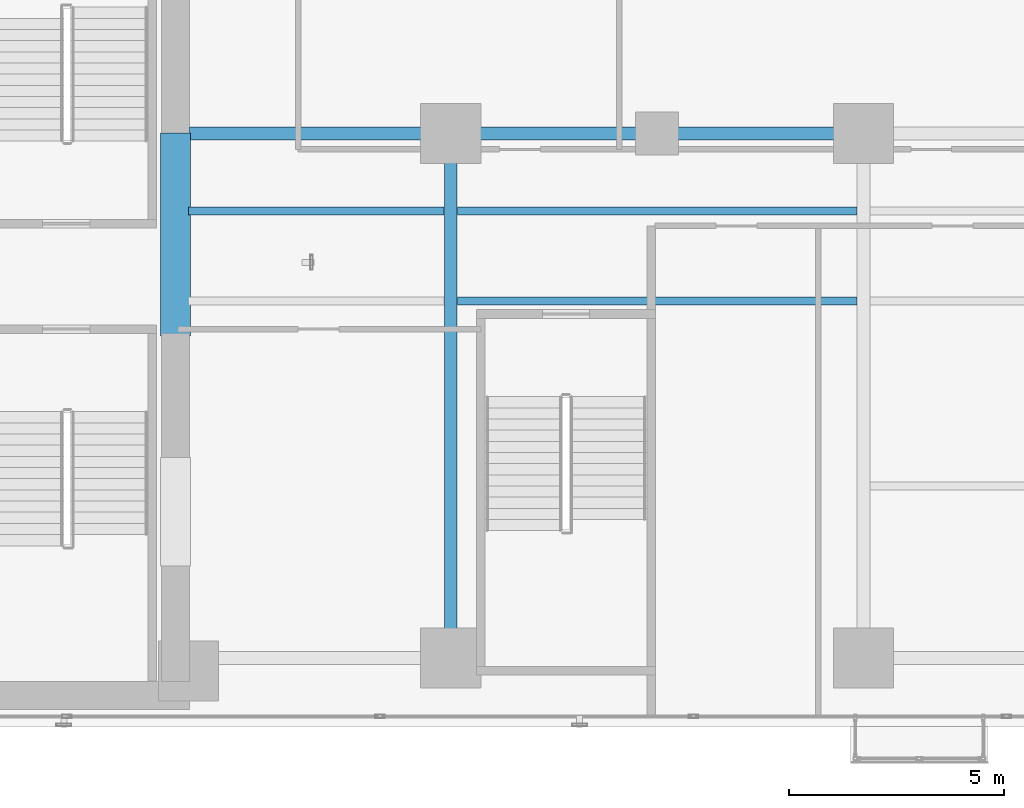
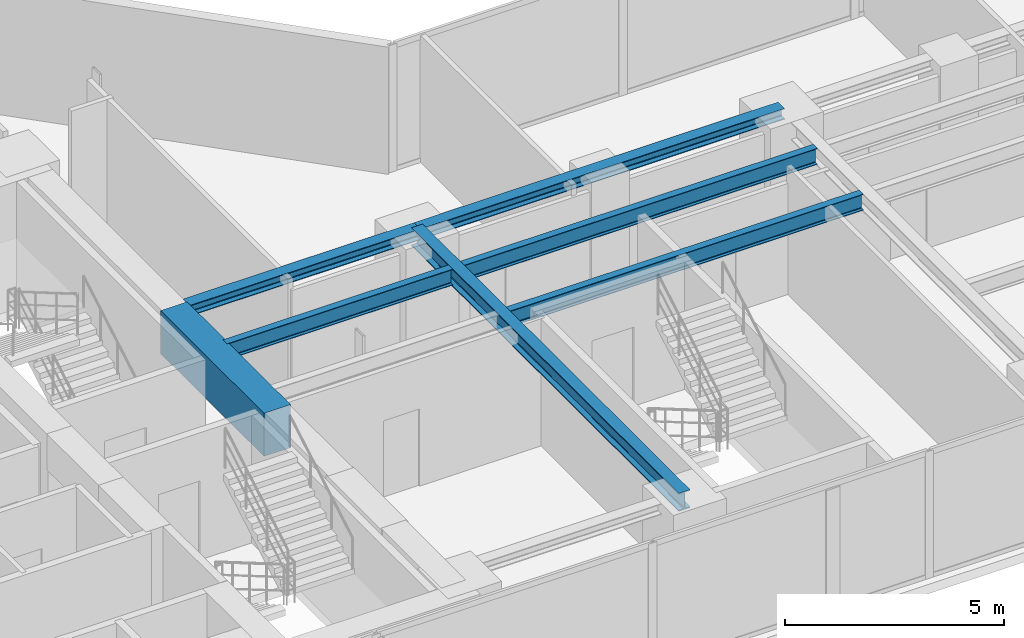
# One storey, part 5 of 28: 7 beams.
"""IFC4 building model written with IfcOpenShell, lengths in metres."""

from ifc_helpers import new_model, si_unit, direction, frame, origin, origin_2d, place, context, subcontext, project, spatial, rectangle, i_section, extrude, material, material_profile, profile_set, type_object, element, save


model = new_model("IFC4")

# Units and contexts
model_context = context("Model", 3, precision=1e-05, world=origin(), true_north=direction((0.0, 1.0)))
body_context = subcontext(model_context, "Body", "Model", "MODEL_VIEW")
ifc_project = project(units=[si_unit("LENGTHUNIT", "METRE"), si_unit("AREAUNIT", "SQUARE_METRE"), si_unit("VOLUMEUNIT", "CUBIC_METRE"), si_unit("PLANEANGLEUNIT", "RADIAN"), si_unit("MASSUNIT", "GRAM", prefix="KILO")], contexts=[model_context])

# Site, building, storey
site_placement = place(None, origin())
site = spatial("IfcSite", under=ifc_project, at=site_placement, CompositionType="ELEMENT")
building_placement = place(site_placement, origin())
building = spatial("IfcBuilding", under=site, at=building_placement, Name="Kolvaren Waterfront Exchange", CompositionType="ELEMENT")
storey_placement = place(building_placement, frame((0.0, 0.0, 133.5)))
storey = spatial("IfcBuildingStorey", under=building, at=storey_placement, Name="L34", CompositionType="ELEMENT", Elevation=133.5)

# Beams
ifc_material_1 = material(Name="Steel S355", Category="steel")
ifc_material_profile_1 = material_profile(ifc_material_1, i_section(OverallWidth=0.300048828125, OverallDepth=0.300048828125, WebThickness=0.010986328125, FlangeThickness=0.01904296875, FilletRadius=0.027099609375, at=origin_2d()), Name="HEB300")
ifc_profile_set_1 = profile_set([ifc_material_profile_1], Name="Steel S355")
beam_type_1 = type_object("IfcBeamType", Name="STR-BM-HEB300", PredefinedType="SPANDREL", material=ifc_profile_set_1)
beam_1_placement = place(storey_placement, frame((21.125, 17.39990234375, 3.389892578125), z_axis=(1.0, 0.0, 0.0), x_axis=(0.0, 1.0, 0.0)))
element("IfcBeam", 1, at=beam_1_placement, inside=storey, type_object=beam_type_1, Name="L34 east-arm spandrel N1", PredefinedType="SPANDREL", context=body_context, shape_type="SweptSolid", body=[
    extrude(i_section(OverallWidth=0.300048828125, OverallDepth=0.300048828125, WebThickness=0.010986328125, FlangeThickness=0.01904296875, FilletRadius=0.027099609375, at=origin_2d()), origin(), (0.0, 0.0, 1.0), 6.074951171875),
])
beam_2_placement = place(storey_placement, frame((27.199951171875, 17.39990234375, 3.389892578125), z_axis=(1.0, 0.0, 0.0), x_axis=(0.0, 1.0, 0.0)))
element("IfcBeam", 2, at=beam_2_placement, inside=storey, type_object=beam_type_1, Name="L34 east-arm spandrel N2", PredefinedType="SPANDREL", context=body_context, shape_type="SweptSolid", body=[
    extrude(i_section(OverallWidth=0.300048828125, OverallDepth=0.300048828125, WebThickness=0.010986328125, FlangeThickness=0.01904296875, FilletRadius=0.027099609375, at=origin_2d()), origin(), (0.0, 0.0, 1.0), 9.60009765625),
])
ifc_material_profile_2 = material_profile(ifc_material_1, i_section(OverallWidth=0.300048828125, OverallDepth=0.5, WebThickness=0.014404296875, FlangeThickness=0.028076171875, FilletRadius=0.027099609375, at=origin_2d()), Name="HEB500")
ifc_profile_set_2 = profile_set([ifc_material_profile_2], Name="Steel S355")
beam_type_2 = type_object("IfcBeamType", Name="STR-BM-HEB500", PredefinedType="BEAM", material=ifc_profile_set_2)
beam_3_placement = place(storey_placement, frame((27.199951171875, 5.199951171875, 3.2900390625), z_axis=(0.0, 1.0, 0.0), x_axis=(-1.0, 0.0, 0.0)))
element("IfcBeam", 3, at=beam_3_placement, inside=storey, type_object=beam_type_2, Name="L34 east-arm transverse girder X27", PredefinedType="BEAM", context=body_context, shape_type="SweptSolid", body=[
    extrude(i_section(OverallWidth=0.300048828125, OverallDepth=0.5, WebThickness=0.014404296875, FlangeThickness=0.028076171875, FilletRadius=0.027099609375, at=origin_2d()), origin(), (0.0, 0.0, 1.0), 12.199951171875),
])
ifc_material_profile_3 = material_profile(ifc_material_1, i_section(OverallWidth=0.18994140625, OverallDepth=0.449951171875, WebThickness=0.009521484375, FlangeThickness=0.0146484375, FilletRadius=0.02099609375, at=origin_2d()), Name="IPE450")
ifc_profile_set_3 = profile_set([ifc_material_profile_3], Name="Steel S355")
beam_type_3 = type_object("IfcBeamType", Name="STR-BM-IPE450", PredefinedType="JOIST", material=ifc_profile_set_3)
beam_4_placement = place(storey_placement, frame((21.10009765625, 15.60009765625, 3.31494140625), z_axis=(1.0, 0.0, 0.0), x_axis=(0.0, 1.0, 0.0)))
element("IfcBeam", 4, at=beam_4_placement, inside=storey, type_object=beam_type_3, Name="L34 east-arm composite joist 1C", PredefinedType="JOIST", context=body_context, shape_type="SweptSolid", body=[
    extrude(i_section(OverallWidth=0.18994140625, OverallDepth=0.449951171875, WebThickness=0.009521484375, FlangeThickness=0.0146484375, FilletRadius=0.02099609375, at=origin_2d()), origin(), (0.0, 0.0, 1.0), 5.947998046875),
])
for number, where, z_axis, x_axis, name in (
    (5, (27.35205078125, 13.5, 3.31494140625), (1.0, 0.0, 0.0), (0.0, 1.0, 0.0), "L34 east-arm composite joist 2A"),
    (6, (27.35205078125, 15.60009765625, 3.31494140625), (1.0, 0.0, 0.0), (0.0, 1.0, 0.0), "L34 east-arm composite joist 2C"),
):
    element("IfcBeam", number, at=place(storey_placement, frame(where, z_axis=z_axis, x_axis=x_axis)), inside=storey, type_object=beam_type_3, Name=name, PredefinedType="JOIST", context=body_context, shape_type="SweptSolid", body=[
        extrude(i_section(OverallWidth=0.18994140625, OverallDepth=0.449951171875, WebThickness=0.009521484375, FlangeThickness=0.0146484375, FilletRadius=0.02099609375, at=origin_2d()), origin(), (0.0, 0.0, 1.0), 9.2958984375),
    ])
ifc_material_2 = material(Name="Concrete C70/85", Category="concrete")
ifc_material_profile_4 = material_profile(ifc_material_2, rectangle(XDim=0.699951171875, YDim=1.199951171875, at=origin_2d()), Name="RC-CB-1200x700")
ifc_profile_set_4 = profile_set([ifc_material_profile_4], Name="Concrete C70/85")
beam_type_4 = type_object("IfcBeamType", Name="STR-CB-1200", PredefinedType="SPANDREL", material=ifc_profile_set_4)
beam_5_placement = place(storey_placement, frame((20.800048828125, 12.68994140625, 2.93994140625), z_axis=(0.0, 1.0, 0.0), x_axis=(-1.0, 0.0, 0.0)))
element("IfcBeam", 7, at=beam_5_placement, inside=storey, type_object=beam_type_4, Name="L34 core coupling beam 2", PredefinedType="SPANDREL", context=body_context, shape_type="SweptSolid", body=[
    extrude(rectangle(XDim=0.699951171875, YDim=1.199951171875, at=origin_2d()), origin(), (0.0, 0.0, 1.0), 4.719970703125),
])

save(model, "model.ifc")
